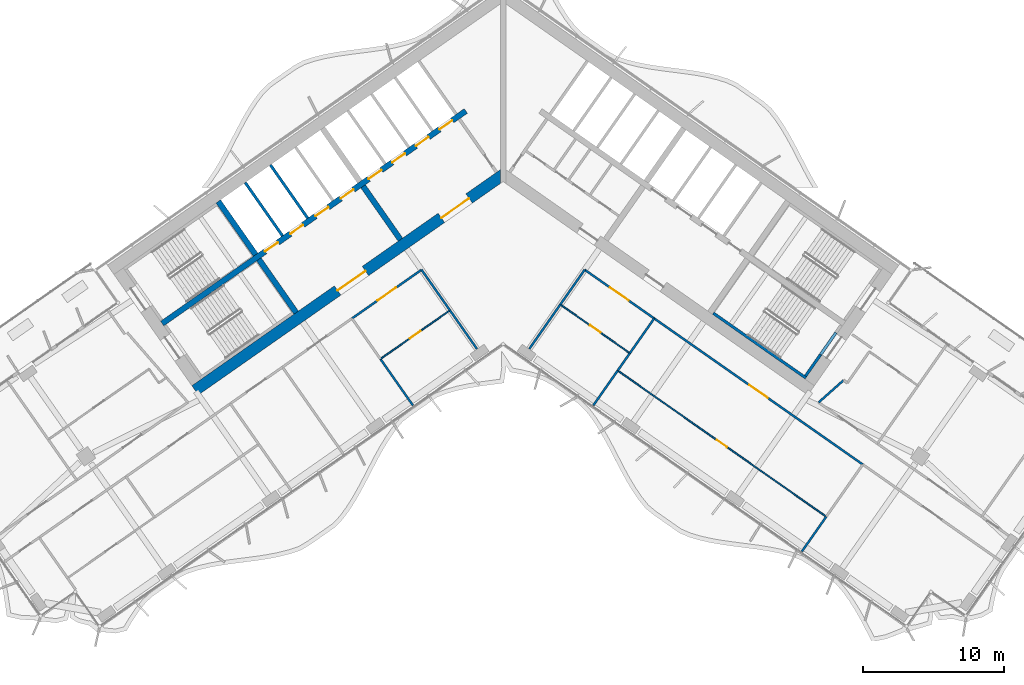
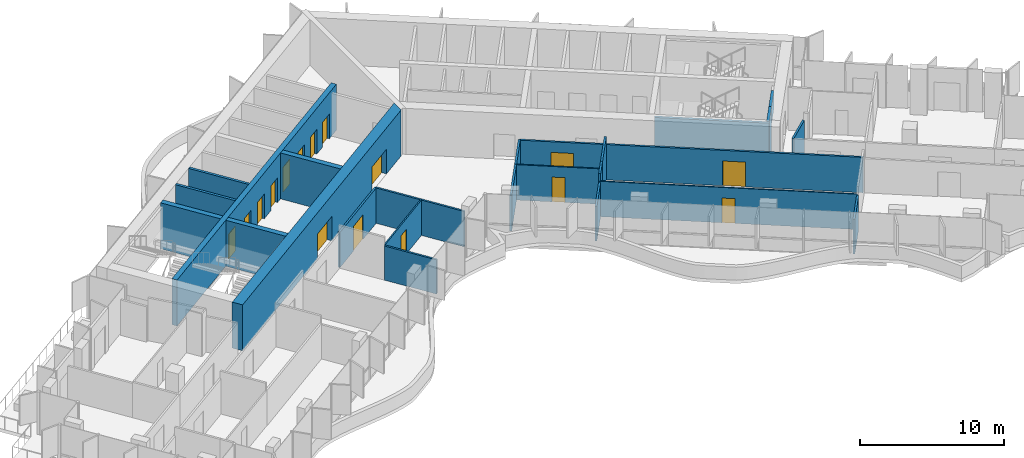
# One storey, part 14 of 24: 26 walls, 16 doors, 16 openings.
"""IFC4 building model written with IfcOpenShell, lengths in metres."""

from ifc_helpers import new_model, si_unit, direction, frame, frame_2d, origin, place, context, subcontext, project, spatial, polyline, rectangle, outline, extrude, material, layer, layer_set, type_object, element, fill, save


model = new_model("IFC4")

# Units and contexts
model_context = context("Model", 3, precision=1e-05, world=origin(), true_north=direction((0.0, 1.0)))
body_context = subcontext(model_context, "Body", "Model", "MODEL_VIEW")
ifc_project = project(units=[si_unit("LENGTHUNIT", "METRE"), si_unit("AREAUNIT", "SQUARE_METRE"), si_unit("VOLUMEUNIT", "CUBIC_METRE"), si_unit("PLANEANGLEUNIT", "RADIAN"), si_unit("MASSUNIT", "GRAM", prefix="KILO")], contexts=[model_context])

# Site, building, storey
site_placement = place(None, origin())
site = spatial("IfcSite", under=ifc_project, at=site_placement, CompositionType="ELEMENT")
building_placement = place(site_placement, origin())
building = spatial("IfcBuilding", under=site, at=building_placement, Name="Tel Ilan Convention Tower", CompositionType="ELEMENT")
storey_placement = place(building_placement, frame((0.0, 0.0, 132.0)))
storey = spatial("IfcBuildingStorey", under=building, at=storey_placement, Name="L29", CompositionType="ELEMENT", Elevation=132.0)

# Walls
ifc_material_1 = material(Name="Concrete C50/60", Category="concrete")
ifc_layer_1 = layer(ifc_material_1, 0.39990234375)
ifc_layer_set_1 = layer_set([ifc_layer_1], Name="Core Shear Wall 400 mm C50/60")
wall_type_1 = type_object("IfcWallType", Name="Core Shear Wall 400 mm C50/60", PredefinedType="SHEAR", material=ifc_layer_set_1)
wall_1_placement = place(storey_placement, frame((-7.2578125, -5.325927734375, 0.0), z_axis=(0.0, 0.0, 1.0), x_axis=(-0.573540709186, 0.819177059558, 0.0)))
element("IfcWall", 1, at=wall_1_placement, inside=storey, type_object=wall_type_1, Name="L29 core wall W-cross1-1", PredefinedType="SHEAR", context=body_context, shape_type="SweptSolid", body=[
    extrude(outline(polyline([(4.599853515625, 0.2001953125), (-0.000244140625, 0.199951171875), (-0.000244140625, -0.2001953125), (4.599853515625, -0.199951171875), (4.599853515625, 0.2001953125)])), origin(), (0.0, 0.0, 1.0), 3.89990234375),
])
wall_2_placement = place(storey_placement, frame((-14.6298828125, -10.48828125, 0.0), z_axis=(0.0, 0.0, 1.0), x_axis=(-0.573611936273, 0.819127185829, 0.0)))
element("IfcWall", 2, at=wall_2_placement, inside=storey, type_object=wall_type_1, Name="L29 core wall W-cross2-1", PredefinedType="SHEAR", context=body_context, shape_type="SweptSolid", body=[
    extrude(outline(polyline([(4.60009765625, 0.199951171875), (0.000244140625, 0.2001953125), (0.000244140625, -0.199951171875), (4.60009765625, -0.2001953125), (4.60009765625, 0.199951171875)])), origin(), (0.0, 0.0, 1.0), 3.89990234375),
])
wall_3_placement = place(storey_placement, frame((-17.497802734375, -6.392333984375, 0.0), z_axis=(0.0, 0.0, 1.0), x_axis=(-0.573611936273, 0.819127185829, 0.0)))
element("IfcWall", 3, at=wall_3_placement, inside=storey, type_object=wall_type_1, Name="L29 core wall W-cross2-2", PredefinedType="SHEAR", context=body_context, shape_type="SweptSolid", body=[
    extrude(outline(polyline([(4.599853515625, -0.2001953125), (4.599853515625, 0.199951171875), (0.0, 0.2001953125), (0.0, -0.199951171875), (4.599853515625, -0.2001953125)])), origin(), (0.0, 0.0, 1.0), 3.89990234375),
])

# Wall, openings, doors
wall_4_placement = place(storey_placement, frame((-2.638427734375, 3.76806640625, 0.0), z_axis=(0.0, 0.0, 1.0), x_axis=(-0.81915267502, -0.573575535572, 0.0)))
wall_4 = element("IfcWall", 4, at=wall_4_placement, inside=storey, type_object=wall_type_1, Name="L29 core wall W-spine", PredefinedType="SHEAR", context=body_context, shape_type="SweptSolid", body=[
    extrude(outline(polyline([(26.199951171875, 0.199951171875), (0.0, 0.199951171875), (0.0, -0.199951171875), (26.199951171875, -0.199951171875), (26.199951171875, 0.199951171875)])), origin(), (0.0, 0.0, 1.0), 3.89990234375),
])
opening_1_placement = place(wall_4_placement, frame((1.168701171875, 0.0, 0.0)))
opening_1 = element("IfcOpeningElement", 5, at=opening_1_placement, cuts=wall_4, Name="Opening LD2304", PredefinedType="OPENING", context=body_context, shape_type="SweptSolid", body=[
    extrude(rectangle(XDim=1.10009765625, YDim=2.10009765625, at=frame_2d((0.550048828125, 1.050048828125))), frame((0.0, 0.2099609375, 0.0), z_axis=(0.0, -1.0, 0.0), x_axis=(1.0, 0.0, 0.0)), (0.0, 0.0, 1.0), 0.419921875),
])
opening_2_placement = place(wall_4_placement, frame((3.206298828125, 0.0, 0.0)))
opening_2 = element("IfcOpeningElement", 6, at=opening_2_placement, cuts=wall_4, Name="Opening LD2305", PredefinedType="OPENING", context=body_context, shape_type="SweptSolid", body=[
    extrude(rectangle(XDim=1.10009765625, YDim=2.10009765625, at=frame_2d((0.550048828125, 1.050048828125))), frame((0.0, 0.2099609375, 0.0), z_axis=(0.0, -1.0, 0.0), x_axis=(1.0, 0.0, 0.0)), (0.0, 0.0, 1.0), 0.419921875),
])
opening_3_placement = place(wall_4_placement, frame((5.24365234375, 0.0, 0.0)))
opening_3 = element("IfcOpeningElement", 7, at=opening_3_placement, cuts=wall_4, Name="Opening LD2306", PredefinedType="OPENING", context=body_context, shape_type="SweptSolid", body=[
    extrude(rectangle(XDim=1.10009765625, YDim=2.10009765625, at=frame_2d((0.550048828125, 1.050048828125))), frame((0.0, 0.2099609375, 0.0), z_axis=(0.0, -1.0, 0.0), x_axis=(1.0, 0.0, 0.0)), (0.0, 0.0, 1.0), 0.419921875),
])
opening_4_placement = place(wall_4_placement, frame((7.28125, 0.0, 0.0)))
opening_4 = element("IfcOpeningElement", 8, at=opening_4_placement, cuts=wall_4, Name="Opening LD2307", PredefinedType="OPENING", context=body_context, shape_type="SweptSolid", body=[
    extrude(rectangle(XDim=1.10009765625, YDim=2.10009765625, at=frame_2d((0.550048828125, 1.050048828125))), frame((0.0, 0.2099609375, 0.0), z_axis=(0.0, -1.0, 0.0), x_axis=(1.0, 0.0, 0.0)), (0.0, 0.0, 1.0), 0.419921875),
])
opening_5_placement = place(wall_4_placement, frame((9.6875, 0.0, 0.0)))
opening_5 = element("IfcOpeningElement", 9, at=opening_5_placement, cuts=wall_4, Name="Opening LD2308", PredefinedType="OPENING", context=body_context, shape_type="SweptSolid", body=[
    extrude(rectangle(XDim=1.10009765625, YDim=2.10009765625, at=frame_2d((0.550048828125, 1.050048828125))), frame((0.0, 0.2099609375, 0.0), z_axis=(0.0, -1.0, 0.0), x_axis=(1.0, 0.0, 0.0)), (0.0, 0.0, 1.0), 0.419921875),
])
opening_6_placement = place(wall_4_placement, frame((11.862548828125, 0.0, 0.0)))
opening_6 = element("IfcOpeningElement", 10, at=opening_6_placement, cuts=wall_4, Name="Opening LD2309", PredefinedType="OPENING", context=body_context, shape_type="SweptSolid", body=[
    extrude(rectangle(XDim=1.10009765625, YDim=2.10009765625, at=frame_2d((0.550048828125, 1.050048828125))), frame((0.0, 0.2099609375, 0.0), z_axis=(0.0, -1.0, 0.0), x_axis=(1.0, 0.0, 0.0)), (0.0, 0.0, 1.0), 0.419921875),
])
opening_7_placement = place(wall_4_placement, frame((14.03759765625, 0.0, 0.0)))
opening_7 = element("IfcOpeningElement", 11, at=opening_7_placement, cuts=wall_4, Name="Opening LD2310", PredefinedType="OPENING", context=body_context, shape_type="SweptSolid", body=[
    extrude(rectangle(XDim=1.10009765625, YDim=2.10009765625, at=frame_2d((0.550048828125, 1.050048828125))), frame((0.0, 0.2099609375, 0.0), z_axis=(0.0, -1.0, 0.0), x_axis=(1.0, 0.0, 0.0)), (0.0, 0.0, 1.0), 0.419921875),
])
opening_8_placement = place(wall_4_placement, frame((16.21240234375, 0.0, 0.0)))
opening_8 = element("IfcOpeningElement", 12, at=opening_8_placement, cuts=wall_4, Name="Opening LD2311", PredefinedType="OPENING", context=body_context, shape_type="SweptSolid", body=[
    extrude(rectangle(XDim=1.10009765625, YDim=2.10009765625, at=frame_2d((0.550048828125, 1.050048828125))), frame((0.0, 0.2099609375, 0.0), z_axis=(0.0, -1.0, 0.0), x_axis=(1.0, 0.0, 0.0)), (0.0, 0.0, 1.0), 0.419921875),
])
ifc_material_2 = material(Name="Stainless Steel Sliding Door Leaf", Category="steel")
door_type_1 = type_object("IfcDoorType", Name="Lift Landing Door 1100 x 2100 FD120", OperationType="NOTDEFINED", PredefinedType="DOOR", material=ifc_material_2)
door_1_placement = place(opening_1_placement, origin())
door_1 = element("IfcDoor", 13, at=door_1_placement, inside=storey, type_object=door_type_1, Name="Lift LR1 landing door", OperationType="SLIDING_TO_LEFT", OverallHeight=2.10009765625, OverallWidth=1.10009765625, PredefinedType="DOOR", context=body_context, shape_type="SweptSolid", body=[
    extrude(rectangle(XDim=1.10009765625, YDim=2.10009765625, at=frame_2d((0.550048828125, 1.050048828125))), frame((0.0, 0.02490234375, 0.0), z_axis=(0.0, -1.0, 0.0), x_axis=(1.0, 0.0, 0.0)), (0.0, 0.0, 1.0), 0.050048828125),
])
fill(opening_1, door_1)
door_2_placement = place(opening_2_placement, origin())
door_2 = element("IfcDoor", 14, at=door_2_placement, inside=storey, type_object=door_type_1, Name="Lift LR2 landing door", OperationType="SLIDING_TO_RIGHT", OverallHeight=2.10009765625, OverallWidth=1.10009765625, PredefinedType="DOOR", context=body_context, shape_type="SweptSolid", body=[
    extrude(rectangle(XDim=1.10009765625, YDim=2.10009765625, at=frame_2d((0.550048828125, 1.050048828125))), frame((0.0, 0.02490234375, 0.0), z_axis=(0.0, -1.0, 0.0), x_axis=(1.0, 0.0, 0.0)), (0.0, 0.0, 1.0), 0.050048828125),
])
fill(opening_2, door_2)
door_3_placement = place(opening_3_placement, origin())
door_3 = element("IfcDoor", 15, at=door_3_placement, inside=storey, type_object=door_type_1, Name="Lift LR3 landing door", OperationType="SLIDING_TO_LEFT", OverallHeight=2.10009765625, OverallWidth=1.10009765625, PredefinedType="DOOR", context=body_context, shape_type="SweptSolid", body=[
    extrude(rectangle(XDim=1.10009765625, YDim=2.10009765625, at=frame_2d((0.550048828125, 1.050048828125))), frame((0.0, 0.02490234375, 0.0), z_axis=(0.0, -1.0, 0.0), x_axis=(1.0, 0.0, 0.0)), (0.0, 0.0, 1.0), 0.050048828125),
])
fill(opening_3, door_3)
door_4_placement = place(opening_4_placement, origin())
door_4 = element("IfcDoor", 16, at=door_4_placement, inside=storey, type_object=door_type_1, Name="Lift LR4 landing door", OperationType="SLIDING_TO_RIGHT", OverallHeight=2.10009765625, OverallWidth=1.10009765625, PredefinedType="DOOR", context=body_context, shape_type="SweptSolid", body=[
    extrude(rectangle(XDim=1.10009765625, YDim=2.10009765625, at=frame_2d((0.550048828125, 1.050048828125))), frame((0.0, 0.02490234375, 0.0), z_axis=(0.0, -1.0, 0.0), x_axis=(1.0, 0.0, 0.0)), (0.0, 0.0, 1.0), 0.050048828125),
])
fill(opening_4, door_4)
door_5_placement = place(opening_5_placement, origin())
door_5 = element("IfcDoor", 17, at=door_5_placement, inside=storey, type_object=door_type_1, Name="Lift LR5 landing door", OperationType="SLIDING_TO_LEFT", OverallHeight=2.10009765625, OverallWidth=1.10009765625, PredefinedType="DOOR", context=body_context, shape_type="SweptSolid", body=[
    extrude(rectangle(XDim=1.10009765625, YDim=2.10009765625, at=frame_2d((0.550048828125, 1.050048828125))), frame((0.0, 0.02490234375, 0.0), z_axis=(0.0, -1.0, 0.0), x_axis=(1.0, 0.0, 0.0)), (0.0, 0.0, 1.0), 0.050048828125),
])
fill(opening_5, door_5)
door_6_placement = place(opening_6_placement, origin())
door_6 = element("IfcDoor", 18, at=door_6_placement, inside=storey, type_object=door_type_1, Name="Lift LR6 landing door", OperationType="SLIDING_TO_RIGHT", OverallHeight=2.10009765625, OverallWidth=1.10009765625, PredefinedType="DOOR", context=body_context, shape_type="SweptSolid", body=[
    extrude(rectangle(XDim=1.10009765625, YDim=2.10009765625, at=frame_2d((0.550048828125, 1.050048828125))), frame((0.0, 0.02490234375, 0.0), z_axis=(0.0, -1.0, 0.0), x_axis=(1.0, 0.0, 0.0)), (0.0, 0.0, 1.0), 0.050048828125),
])
fill(opening_6, door_6)
door_7_placement = place(opening_7_placement, origin())
door_7 = element("IfcDoor", 19, at=door_7_placement, inside=storey, type_object=door_type_1, Name="Lift LR7 landing door", OperationType="SLIDING_TO_LEFT", OverallHeight=2.10009765625, OverallWidth=1.10009765625, PredefinedType="DOOR", context=body_context, shape_type="SweptSolid", body=[
    extrude(rectangle(XDim=1.10009765625, YDim=2.10009765625, at=frame_2d((0.550048828125, 1.050048828125))), frame((0.0, 0.02490234375, 0.0), z_axis=(0.0, -1.0, 0.0), x_axis=(1.0, 0.0, 0.0)), (0.0, 0.0, 1.0), 0.050048828125),
])
fill(opening_7, door_7)
door_8_placement = place(opening_8_placement, origin())
door_8 = element("IfcDoor", 20, at=door_8_placement, inside=storey, type_object=door_type_1, Name="Lift LR8 landing door", OperationType="SLIDING_TO_RIGHT", OverallHeight=2.10009765625, OverallWidth=1.10009765625, PredefinedType="DOOR", context=body_context, shape_type="SweptSolid", body=[
    extrude(rectangle(XDim=1.10009765625, YDim=2.10009765625, at=frame_2d((0.550048828125, 1.050048828125))), frame((0.0, 0.02490234375, 0.0), z_axis=(0.0, -1.0, 0.0), x_axis=(1.0, 0.0, 0.0)), (0.0, 0.0, 1.0), 0.050048828125),
])
fill(opening_8, door_8)

ifc_material_3 = material(Name="Concrete C50/60", Category="concrete")
ifc_layer_2 = layer(ifc_material_3, 0.800048828125)
ifc_layer_set_2 = layer_set([ifc_layer_2], Name="Core Shear Wall 800 mm C50/60")
wall_type_2 = type_object("IfcWallType", Name="Core Shear Wall 800 mm C50/60", PredefinedType="SHEAR", material=ifc_layer_set_2)
wall_5_placement = place(storey_placement, frame((0.029296875, -0.7119140625, 0.0), z_axis=(0.0, 0.0, 1.0), x_axis=(-0.819151758019, -0.573576845187, 0.0)))
wall_5 = element("IfcWall", 21, at=wall_5_placement, inside=storey, type_object=wall_type_2, Name="L29 core wall W-front", PredefinedType="SHEAR", context=body_context, shape_type="SweptSolid", body=[
    extrude(outline(polyline([(26.61572265625, 0.39990234375), (0.56005859375, 0.39990234375), (-0.000244140625, -0.39990234375), (26.61572265625, -0.39990234375), (26.61572265625, 0.39990234375)])), origin(), (0.0, 0.0, 1.0), 3.89990234375),
])
opening_9_placement = place(wall_5_placement, frame((2.9658203125, 0.0, 0.0)))
opening_9 = element("IfcOpeningElement", 22, at=opening_9_placement, cuts=wall_5, Name="Opening CD2305", PredefinedType="OPENING", context=body_context, shape_type="SweptSolid", body=[
    extrude(rectangle(XDim=2.39990234375, YDim=2.10009765625, at=frame_2d((1.199951171875, 1.050048828125))), frame((0.0, 0.409912109375, 0.0), z_axis=(0.0, -1.0, 0.0), x_axis=(1.0, 0.0, 0.0)), (0.0, 0.0, 1.0), 0.820068359375),
])
opening_10_placement = place(wall_5_placement, frame((11.915771484375, 0.0, 0.0)))
opening_10 = element("IfcOpeningElement", 23, at=opening_10_placement, cuts=wall_5, Name="Opening CD2306", PredefinedType="OPENING", context=body_context, shape_type="SweptSolid", body=[
    extrude(rectangle(XDim=2.39990234375, YDim=2.10009765625, at=frame_2d((1.199951171875, 1.050048828125))), frame((0.0, 0.409912109375, 0.0), z_axis=(0.0, -1.0, 0.0), x_axis=(1.0, 0.0, 0.0)), (0.0, 0.0, 1.0), 0.820068359375),
])
ifc_material_4 = material(Name="Glazed Aluminium Door Leaf", Category="aluminium")
door_type_2 = type_object("IfcDoorType", Name="Lobby Opening Door 2400 x 2100 FD60S", OperationType="NOTDEFINED", PredefinedType="DOOR", material=ifc_material_4)
door_9_placement = place(opening_9_placement, origin())
door_9 = element("IfcDoor", 24, at=door_9_placement, inside=storey, type_object=door_type_2, Name="Lift Lobby LR1-LR4 opening", OperationType="DOUBLE_DOOR_SINGLE_SWING", OverallHeight=2.10009765625, OverallWidth=2.39990234375, PredefinedType="DOOR", context=body_context, shape_type="SweptSolid", body=[
    extrude(rectangle(XDim=2.39990234375, YDim=2.10009765625, at=frame_2d((1.199951171875, 1.050048828125))), frame((0.0, 0.02490234375, 0.0), z_axis=(0.0, -1.0, 0.0), x_axis=(1.0, 0.0, 0.0)), (0.0, 0.0, 1.0), 0.050048828125),
])
fill(opening_9, door_9)
door_10_placement = place(opening_10_placement, origin())
door_10 = element("IfcDoor", 25, at=door_10_placement, inside=storey, type_object=door_type_2, Name="Lift Lobby LR5-LR8 opening", OperationType="DOUBLE_DOOR_SINGLE_SWING", OverallHeight=2.10009765625, OverallWidth=2.39990234375, PredefinedType="DOOR", context=body_context, shape_type="SweptSolid", body=[
    extrude(rectangle(XDim=2.39990234375, YDim=2.10009765625, at=frame_2d((1.199951171875, 1.050048828125))), frame((0.0, 0.02490234375, 0.0), z_axis=(0.0, -1.0, 0.0), x_axis=(1.0, 0.0, 0.0)), (0.0, 0.0, 1.0), 0.050048828125),
])
fill(opening_10, door_10)

# Wall, opening, door
ifc_material_5 = material(Name="Plasterboard on Steel Studs", Category="steel")
ifc_layer_3 = layer(ifc_material_5, 0.14990234375)
ifc_layer_set_3 = layer_set([ifc_layer_3], Name="Fire-rated Partition 150 EI 60")
wall_type_3 = type_object("IfcWallType", Name="Fire-rated Partition 150 EI 60", PredefinedType="PARTITIONING", material=ifc_layer_set_3)
wall_6_placement = place(storey_placement, frame((10.68310546875, -10.898193359375, 0.0), z_axis=(0.0, 0.0, 1.0), x_axis=(-0.819180321071, 0.573536050802, 0.0)))
wall_6 = element("IfcWall", 26, at=wall_6_placement, inside=storey, type_object=wall_type_3, Name="Partition 004", PredefinedType="PARTITIONING", context=body_context, shape_type="SweptSolid", body=[
    extrude(rectangle(XDim=6.001953125, YDim=0.14990234375, at=frame_2d((3.0009765625, 0.0))), origin(), (0.0, 0.0, 1.0), 3.0),
])
opening_11_placement = place(wall_6_placement, frame((2.200927734375, 0.0, 0.0)))
opening_11 = element("IfcOpeningElement", 27, at=opening_11_placement, cuts=wall_6, Name="Opening L29-012", PredefinedType="OPENING", context=body_context, shape_type="SweptSolid", body=[
    extrude(rectangle(XDim=1.60009765625, YDim=2.10009765625, at=frame_2d((0.800048828125, 1.050048828125))), frame((0.0, 0.0849609375, 0.0), z_axis=(0.0, -1.0, 0.0), x_axis=(1.0, 0.0, 0.0)), (0.0, 0.0, 1.0), 0.169921875),
])
ifc_material_6 = material(Name="Timber Door Leaf in Steel Frame", Category="steel")
door_type_3 = type_object("IfcDoorType", Name="Tenant Suite Entrance Fire Door 1600x2100", OperationType="NOTDEFINED", PredefinedType="DOOR", material=ifc_material_6)
door_11_placement = place(opening_11_placement, origin())
door_11 = element("IfcDoor", 28, at=door_11_placement, inside=storey, type_object=door_type_3, Name="Door L29-012", OperationType="DOUBLE_DOOR_SINGLE_SWING", OverallHeight=2.10009765625, OverallWidth=1.60009765625, PredefinedType="DOOR", context=body_context, shape_type="SweptSolid", body=[
    extrude(rectangle(XDim=1.60009765625, YDim=2.10009765625, at=frame_2d((0.800048828125, 1.050048828125))), frame((0.0, 0.02490234375, 0.0), z_axis=(0.0, -1.0, 0.0), x_axis=(1.0, 0.0, 0.0)), (0.0, 0.0, 1.0), 0.050048828125),
])
fill(opening_11, door_11)

wall_7_placement = place(storey_placement, frame((25.427978515625, -21.22216796875, 0.0), z_axis=(0.0, 0.0, 1.0), x_axis=(-0.819170120389, 0.573550620139, 0.0)))
wall_7 = element("IfcWall", 29, at=wall_7_placement, inside=storey, type_object=wall_type_3, Name="Partition 005", PredefinedType="PARTITIONING", context=body_context, shape_type="SweptSolid", body=[
    extrude(rectangle(XDim=18.00390625, YDim=0.14990234375, at=frame_2d((9.001953125, 0.0))), origin(), (0.0, 0.0, 1.0), 3.0),
])
opening_12_placement = place(wall_7_placement, frame((8.201904296875, 0.0, 0.0)))
opening_12 = element("IfcOpeningElement", 30, at=opening_12_placement, cuts=wall_7, Name="Opening L29-014", PredefinedType="OPENING", context=body_context, shape_type="SweptSolid", body=[
    extrude(rectangle(XDim=1.60009765625, YDim=2.10009765625, at=frame_2d((0.800048828125, 1.050048828125))), frame((0.0, 0.0849609375, 0.0), z_axis=(0.0, -1.0, 0.0), x_axis=(1.0, 0.0, 0.0)), (0.0, 0.0, 1.0), 0.169921875),
])
door_12_placement = place(opening_12_placement, origin())
door_12 = element("IfcDoor", 31, at=door_12_placement, inside=storey, type_object=door_type_3, Name="Door L29-014", OperationType="DOUBLE_DOOR_SINGLE_SWING", OverallHeight=2.10009765625, OverallWidth=1.60009765625, PredefinedType="DOOR", context=body_context, shape_type="SweptSolid", body=[
    extrude(rectangle(XDim=1.60009765625, YDim=2.10009765625, at=frame_2d((0.800048828125, 1.050048828125))), frame((0.0, 0.02490234375, 0.0), z_axis=(0.0, -1.0, 0.0), x_axis=(1.0, 0.0, 0.0)), (0.0, 0.0, 1.0), 0.050048828125),
])
fill(opening_12, door_12)

wall_8_placement = place(storey_placement, frame((-5.766357421875, -7.455810546875, 0.0), z_axis=(0.0, 0.0, 1.0), x_axis=(-0.819147828287, -0.573582457378, 0.0)))
wall_8 = element("IfcWall", 32, at=wall_8_placement, inside=storey, type_object=wall_type_3, Name="Partition 009", PredefinedType="PARTITIONING", context=body_context, shape_type="SweptSolid", body=[
    extrude(rectangle(XDim=6.001953125, YDim=0.14990234375, at=frame_2d((3.0009765625, 0.0))), origin(), (0.0, 0.0, 1.0), 3.0),
])
opening_13_placement = place(wall_8_placement, frame((2.200927734375, 0.0, 0.0)))
opening_13 = element("IfcOpeningElement", 33, at=opening_13_placement, cuts=wall_8, Name="Opening L29-001", PredefinedType="OPENING", context=body_context, shape_type="SweptSolid", body=[
    extrude(rectangle(XDim=1.60009765625, YDim=2.10009765625, at=frame_2d((0.800048828125, 1.050048828125))), frame((0.0, 0.0849609375, 0.0), z_axis=(0.0, -1.0, 0.0), x_axis=(1.0, 0.0, 0.0)), (0.0, 0.0, 1.0), 0.169921875),
])
door_13_placement = place(opening_13_placement, origin())
door_13 = element("IfcDoor", 34, at=door_13_placement, inside=storey, type_object=door_type_3, Name="Door L29-001", OperationType="DOUBLE_DOOR_SINGLE_SWING", OverallHeight=2.10009765625, OverallWidth=1.60009765625, PredefinedType="DOOR", context=body_context, shape_type="SweptSolid", body=[
    extrude(rectangle(XDim=1.60009765625, YDim=2.10009765625, at=frame_2d((0.800048828125, 1.050048828125))), frame((0.0, 0.02490234375, 0.0), z_axis=(0.0, -1.0, 0.0), x_axis=(1.0, 0.0, 0.0)), (0.0, 0.0, 1.0), 0.050048828125),
])
fill(opening_13, door_13)

# Walls
wall_9_placement = place(storey_placement, frame((22.30126953125, -16.836181640625, 0.0), z_axis=(0.0, 0.0, 1.0), x_axis=(0.746924703007, 0.664908631345, 0.0)))
element("IfcWall", 35, at=wall_9_placement, inside=storey, type_object=wall_type_3, Name="Partition 019", PredefinedType="PARTITIONING", context=body_context, shape_type="SweptSolid", body=[
    extrude(rectangle(XDim=2.363525390625, YDim=0.14990234375, at=frame_2d((1.181640625, 0.0))), origin(), (0.0, 0.0, 1.0), 3.0),
])
wall_10_placement = place(storey_placement, frame((8.1005859375, -14.58251953125, 0.0), z_axis=(0.0, 0.0, 1.0), x_axis=(-0.573516940352, -0.819193700616, 0.0)))
element("IfcWall", 36, at=wall_10_placement, inside=storey, type_object=wall_type_3, Name="Partition 024", PredefinedType="PARTITIONING", context=body_context, shape_type="SweptSolid", body=[
    extrude(rectangle(XDim=3.001220703125, YDim=0.14990234375, at=frame_2d((1.50048828125, 0.0))), origin(), (0.0, 0.0, 1.0), 2.89990234375),
])
wall_11_placement = place(storey_placement, frame((8.9599609375, -13.35546875, 0.0), z_axis=(0.0, 0.0, 1.0), x_axis=(-0.573473259837, -0.819224279579, 0.0)))
element("IfcWall", 37, at=wall_11_placement, inside=storey, type_object=wall_type_3, Name="Partition 025", PredefinedType="PARTITIONING", context=body_context, shape_type="SweptSolid", body=[
    extrude(rectangle(XDim=1.5009765625, YDim=0.14990234375, at=frame_2d((0.75048828125, 0.0))), origin(), (0.0, 0.0, 1.0), 3.6201171875),
])
wall_12_placement = place(storey_placement, frame((1.848876953125, -13.050537109375, 0.0), z_axis=(0.0, 0.0, 1.0), x_axis=(0.573594994199, 0.819139049631, 0.0)))
element("IfcWall", 38, at=wall_12_placement, inside=storey, type_object=wall_type_3, Name="Partition 026", PredefinedType="PARTITIONING", context=body_context, shape_type="SweptSolid", body=[
    extrude(rectangle(XDim=3.8291015625, YDim=0.14990234375, at=frame_2d((1.91455078125, 0.0))), origin(), (0.0, 0.0, 1.0), 3.0),
])
wall_13_placement = place(storey_placement, frame((10.681396484375, -10.897216796875, 0.0), z_axis=(0.0, 0.0, 1.0), x_axis=(-0.573615254604, -0.819124862085, 0.0)))
element("IfcWall", 39, at=wall_13_placement, inside=storey, type_object=wall_type_3, Name="Partition 027", PredefinedType="PARTITIONING", context=body_context, shape_type="SweptSolid", body=[
    extrude(rectangle(XDim=3.000244140625, YDim=0.14990234375, at=frame_2d((1.5, 0.0))), origin(), (0.0, 0.0, 1.0), 3.6201171875),
])
wall_14_placement = place(storey_placement, frame((4.045654296875, -9.913330078125, 0.0), z_axis=(0.0, 0.0, 1.0), x_axis=(0.573560650686, 0.819163097304, 0.0)))
element("IfcWall", 40, at=wall_14_placement, inside=storey, type_object=wall_type_3, Name="Partition 028", PredefinedType="PARTITIONING", context=body_context, shape_type="SweptSolid", body=[
    extrude(rectangle(XDim=3.0, YDim=0.14990234375, at=frame_2d((1.5, 0.0))), origin(), (0.0, 0.0, 1.0), 3.0),
])
wall_15_placement = place(storey_placement, frame((22.84423828125, -24.90869140625, 0.0), z_axis=(0.0, 0.0, 1.0), x_axis=(-0.573549763719, -0.81917072002, 0.0)))
element("IfcWall", 41, at=wall_15_placement, inside=storey, type_object=wall_type_3, Name="Partition 030", PredefinedType="PARTITIONING", context=body_context, shape_type="SweptSolid", body=[
    extrude(rectangle(XDim=2.998779296875, YDim=0.14990234375, at=frame_2d((1.49951171875, 0.0))), origin(), (0.0, 0.0, 1.0), 2.89990234375),
])
wall_16_placement = place(storey_placement, frame((-1.848876953125, -13.050537109375, 0.0), z_axis=(0.0, 0.0, 1.0), x_axis=(-0.573600070244, 0.819135495151, 0.0)))
element("IfcWall", 42, at=wall_16_placement, inside=storey, type_object=wall_type_3, Name="Partition 032", PredefinedType="PARTITIONING", context=body_context, shape_type="SweptSolid", body=[
    extrude(rectangle(XDim=3.3310546875, YDim=0.14990234375, at=frame_2d((1.66552734375, 0.0))), origin(), (0.0, 0.0, 1.0), 3.0),
])
wall_17_placement = place(storey_placement, frame((-3.7578125, -10.324462890625, 0.0), z_axis=(0.0, 0.0, 1.0), x_axis=(-0.573560539213, 0.819163175355, 0.0)))
element("IfcWall", 43, at=wall_17_placement, inside=storey, type_object=wall_type_3, Name="Partition 033", PredefinedType="PARTITIONING", context=body_context, shape_type="SweptSolid", body=[
    extrude(rectangle(XDim=3.50390625, YDim=0.14990234375, at=frame_2d((1.751953125, 0.0))), origin(), (0.0, 0.0, 1.0), 3.0),
])
wall_18_placement = place(storey_placement, frame((-6.37939453125, -17.041015625, 0.0), z_axis=(0.0, 0.0, 1.0), x_axis=(-0.573560675104, 0.819163080207, 0.0)))
element("IfcWall", 44, at=wall_18_placement, inside=storey, type_object=wall_type_3, Name="Partition 043", PredefinedType="PARTITIONING", context=body_context, shape_type="SweptSolid", body=[
    extrude(rectangle(XDim=3.9990234375, YDim=0.14990234375, at=frame_2d((1.99951171875, 0.0))), origin(), (0.0, 0.0, 1.0), 2.89990234375),
])
ifc_material_7 = material(Name="Concrete C30/37", Category="concrete")
ifc_layer_4 = layer(ifc_material_7, 0.199951171875)
ifc_layer_set_4 = layer_set([ifc_layer_4], Name="Lift Shaft Wall 200 mm C30/37")
wall_type_4 = type_object("IfcWallType", Name="Lift Shaft Wall 200 mm C30/37", PredefinedType="SOLIDWALL", material=ifc_layer_set_4)
for number, where, z_axis, x_axis, name in (
    (45, (-13.811767578125, -3.811279296875, 0.0), (0.0, 0.0, 1.0), (-0.573576324356, 0.819152122709, 0.0), "L29 core wall bank-W2-p1"),
    (46, (-15.593505859375, -5.058837890625, 0.0), (0.0, 0.0, 1.0), (-0.573540709186, 0.819177059558, 0.0), "L29 core wall bank-W2-p2"),
):
    element("IfcWall", number, at=place(storey_placement, frame(where, z_axis=z_axis, x_axis=x_axis)), inside=storey, type_object=wall_type_4, Name=name, PredefinedType="SOLIDWALL", context=body_context, shape_type="SweptSolid", body=[
        extrude(rectangle(XDim=4.599853515625, YDim=0.199951171875, at=frame_2d((2.2998046875, 0.0))), origin(), (0.0, 0.0, 1.0), 3.89990234375),
    ])

# Wall, opening, door
ifc_material_8 = material(Name="Plasterboard on Steel Studs", Category="steel")
ifc_layer_5 = layer(ifc_material_8, 0.10009765625)
ifc_layer_set_5 = layer_set([ifc_layer_5], Name="Plasterboard Partition 100")
wall_type_5 = type_object("IfcWallType", Name="Plasterboard Partition 100", PredefinedType="PARTITIONING", material=ifc_layer_set_5)
wall_19_placement = place(storey_placement, frame((8.9599609375, -13.35546875, 0.0), z_axis=(0.0, 0.0, 1.0), x_axis=(-0.819149710902, 0.573579768758, 0.0)))
wall_19 = element("IfcWall", 47, at=wall_19_placement, inside=storey, type_object=wall_type_5, Name="Partition 023", PredefinedType="PARTITIONING", context=body_context, shape_type="SweptSolid", body=[
    extrude(rectangle(XDim=5.999755859375, YDim=0.10009765625, at=frame_2d((3.0, 0.0))), origin(), (0.0, 0.0, 1.0), 3.0),
])
opening_14_placement = place(wall_19_placement, frame((2.550048828125, 0.0, 0.0)))
opening_14 = element("IfcOpeningElement", 48, at=opening_14_placement, cuts=wall_19, Name="Opening L29-013", PredefinedType="OPENING", context=body_context, shape_type="SweptSolid", body=[
    extrude(rectangle(XDim=0.89990234375, YDim=2.10009765625, at=frame_2d((0.449951171875, 1.050048828125))), frame((0.0, 0.06005859375, 0.0), z_axis=(0.0, -1.0, 0.0), x_axis=(1.0, 0.0, 0.0)), (0.0, 0.0, 1.0), 0.1201171875),
])
ifc_material_9 = material(Name="Timber Door Leaf in Steel Frame", Category="steel")
door_type_4 = type_object("IfcDoorType", Name="Room Timber Door 900x2100", OperationType="NOTDEFINED", PredefinedType="DOOR", material=ifc_material_9)
door_14_placement = place(opening_14_placement, origin())
door_14 = element("IfcDoor", 49, at=door_14_placement, inside=storey, type_object=door_type_4, Name="Door L29-013", OperationType="SINGLE_SWING_LEFT", OverallHeight=2.10009765625, OverallWidth=0.89990234375, PredefinedType="DOOR", context=body_context, shape_type="SweptSolid", body=[
    extrude(rectangle(XDim=0.89990234375, YDim=2.10009765625, at=frame_2d((0.449951171875, 1.050048828125))), frame((0.0, 0.02490234375, 0.0), z_axis=(0.0, -1.0, 0.0), x_axis=(1.0, 0.0, 0.0)), (0.0, 0.0, 1.0), 0.050048828125),
])
fill(opening_14, door_14)

wall_20_placement = place(storey_placement, frame((22.84423828125, -24.90869140625, 0.0), z_axis=(0.0, 0.0, 1.0), x_axis=(-0.81914780044, 0.573582497149, 0.0)))
wall_20 = element("IfcWall", 50, at=wall_20_placement, inside=storey, type_object=wall_type_5, Name="Partition 029", PredefinedType="PARTITIONING", context=body_context, shape_type="SweptSolid", body=[
    extrude(rectangle(XDim=18.0, YDim=0.10009765625, at=frame_2d((9.0, 0.0))), origin(), (0.0, 0.0, 1.0), 3.0),
])
opening_15_placement = place(wall_20_placement, frame((8.550048828125, 0.0, 0.0)))
opening_15 = element("IfcOpeningElement", 51, at=opening_15_placement, cuts=wall_20, Name="Opening L29-015", PredefinedType="OPENING", context=body_context, shape_type="SweptSolid", body=[
    extrude(rectangle(XDim=0.89990234375, YDim=2.10009765625, at=frame_2d((0.449951171875, 1.050048828125))), frame((0.0, 0.06005859375, 0.0), z_axis=(0.0, -1.0, 0.0), x_axis=(1.0, 0.0, 0.0)), (0.0, 0.0, 1.0), 0.1201171875),
])
door_15_placement = place(opening_15_placement, origin())
door_15 = element("IfcDoor", 52, at=door_15_placement, inside=storey, type_object=door_type_4, Name="Door L29-015", OperationType="SINGLE_SWING_LEFT", OverallHeight=2.10009765625, OverallWidth=0.89990234375, PredefinedType="DOOR", context=body_context, shape_type="SweptSolid", body=[
    extrude(rectangle(XDim=0.89990234375, YDim=2.10009765625, at=frame_2d((0.449951171875, 1.050048828125))), frame((0.0, 0.02490234375, 0.0), z_axis=(0.0, -1.0, 0.0), x_axis=(1.0, 0.0, 0.0)), (0.0, 0.0, 1.0), 0.050048828125),
])
fill(opening_15, door_15)

wall_21_placement = place(storey_placement, frame((-3.75830078125, -10.32373046875, 0.0), z_axis=(0.0, 0.0, 1.0), x_axis=(-0.819149710902, -0.573579768758, 0.0)))
wall_21 = element("IfcWall", 53, at=wall_21_placement, inside=storey, type_object=wall_type_5, Name="Partition 042", PredefinedType="PARTITIONING", context=body_context, shape_type="SweptSolid", body=[
    extrude(rectangle(XDim=5.999755859375, YDim=0.10009765625, at=frame_2d((3.0, 0.0))), origin(), (0.0, 0.0, 1.0), 3.0),
])
opening_16_placement = place(wall_21_placement, frame((2.550048828125, 0.0, 0.0)))
opening_16 = element("IfcOpeningElement", 54, at=opening_16_placement, cuts=wall_21, Name="Opening L29-002", PredefinedType="OPENING", context=body_context, shape_type="SweptSolid", body=[
    extrude(rectangle(XDim=0.89990234375, YDim=2.10009765625, at=frame_2d((0.449951171875, 1.050048828125))), frame((0.0, 0.06005859375, 0.0), z_axis=(0.0, -1.0, 0.0), x_axis=(1.0, 0.0, 0.0)), (0.0, 0.0, 1.0), 0.1201171875),
])
door_16_placement = place(opening_16_placement, origin())
door_16 = element("IfcDoor", 55, at=door_16_placement, inside=storey, type_object=door_type_4, Name="Door L29-002", OperationType="SINGLE_SWING_RIGHT", OverallHeight=2.10009765625, OverallWidth=0.89990234375, PredefinedType="DOOR", context=body_context, shape_type="SweptSolid", body=[
    extrude(rectangle(XDim=0.89990234375, YDim=2.10009765625, at=frame_2d((0.449951171875, 1.050048828125))), frame((0.0, 0.02490234375, 0.0), z_axis=(0.0, -1.0, 0.0), x_axis=(1.0, 0.0, 0.0)), (0.0, 0.0, 1.0), 0.050048828125),
])
fill(opening_16, door_16)

# Walls
ifc_material_10 = material(Name="Concrete C30/37", Category="concrete")
ifc_layer_6 = layer(ifc_material_10, 0.199951171875)
ifc_layer_set_6 = layer_set([ifc_layer_6], Name="Stair and Shaft Lining Wall 200 mm C30/37")
wall_type_6 = type_object("IfcWallType", Name="Stair and Shaft Lining Wall 200 mm C30/37", PredefinedType="SOLIDWALL", material=ifc_layer_set_6)
wall_22_placement = place(storey_placement, frame((14.851318359375, -10.52099609375, 0.0), z_axis=(0.0, 0.0, 1.0), x_axis=(0.819141584393, -0.57359137434, 0.0)))
element("IfcWall", 56, at=wall_22_placement, inside=storey, type_object=wall_type_6, Name="L29 core wall lining-S4-t0", PredefinedType="SOLIDWALL", context=body_context, shape_type="SweptSolid", body=[
    extrude(rectangle(XDim=7.999755859375, YDim=0.199951171875, at=frame_2d((4.0, 0.0))), origin(), (0.0, 0.0, 1.0), 3.6201171875),
])
wall_23_placement = place(storey_placement, frame((21.3798828125, -14.97021484375, 0.0), z_axis=(0.0, 0.0, 1.0), x_axis=(0.573559770908, 0.819163713305, 0.0)))
element("IfcWall", 57, at=wall_23_placement, inside=storey, type_object=wall_type_6, Name="L29 core wall lining-S4-u1-0", PredefinedType="SOLIDWALL", context=body_context, shape_type="SweptSolid", body=[
    extrude(rectangle(XDim=1.849853515625, YDim=0.199951171875, at=frame_2d((0.9248046875, 0.0))), origin(), (0.0, 0.0, 1.0), 3.6201171875),
])
wall_24_placement = place(storey_placement, frame((22.44091796875, -13.454833984375, 2.14990234375), z_axis=(0.0, 0.0, 1.0), x_axis=(0.573591692345, 0.819141361715, 0.0)))
element("IfcWall", 58, at=wall_24_placement, inside=storey, type_object=wall_type_6, Name="L29 core wall lining-S4-u1-lintel", PredefinedType="SOLIDWALL", context=body_context, shape_type="SweptSolid", body=[
    extrude(rectangle(XDim=1.900146484375, YDim=0.199951171875, at=frame_2d((0.9501953125, 0.0))), origin(), (0.0, 0.0, 1.0), 1.47021484375),
])

save(model, "model.ifc")
